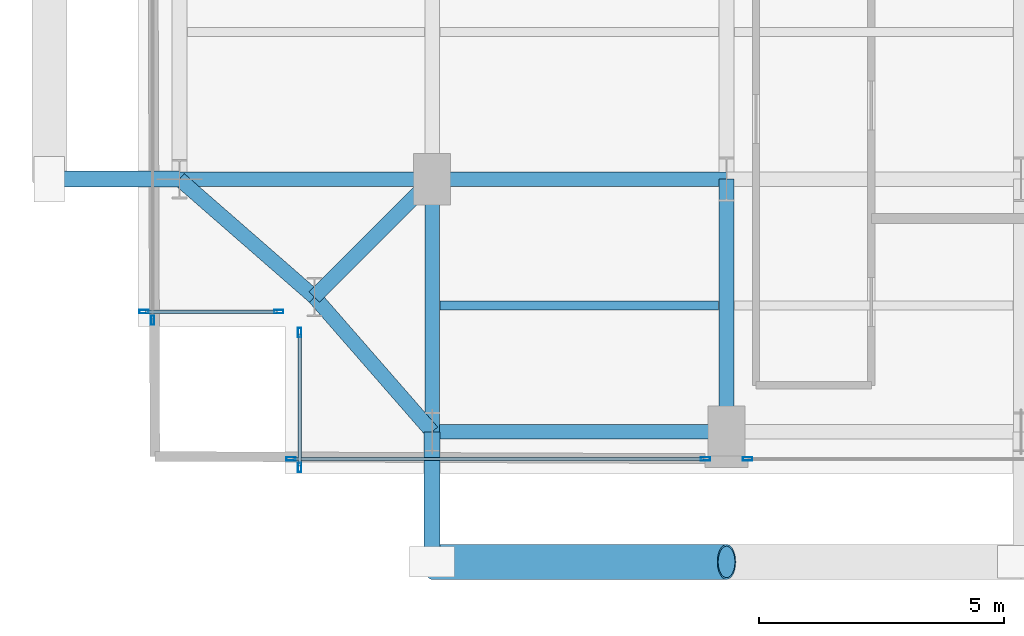
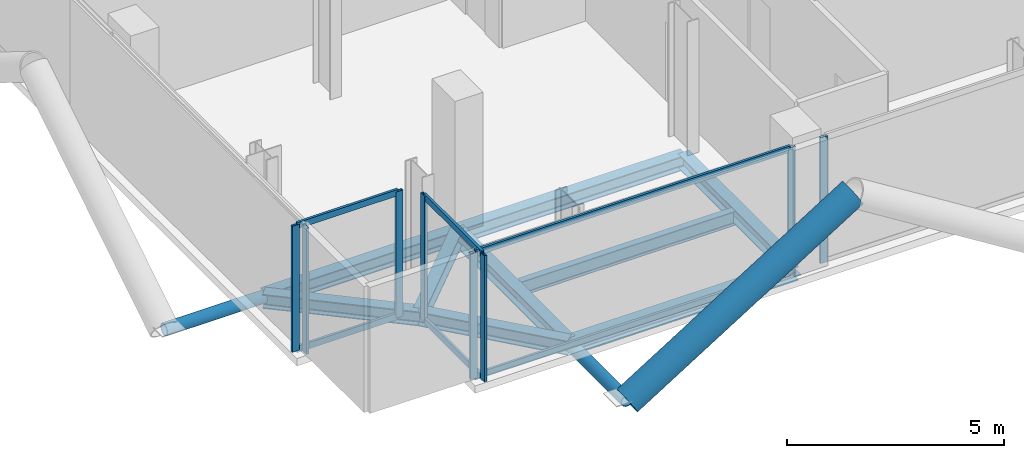
# One storey, part 2 of 25: 17 members, 9 beams, 5 elements without a shape of their own.
"""IFC4 building model written with IfcOpenShell, lengths in metres."""

from ifc_helpers import new_model, si_unit, direction, frame, origin, origin_2d, place, context, subcontext, project, spatial, hollow_rectangle, hollow_circle, i_section, extrude, material, layer, layer_set, material_profile, profile_set, type_object, element, aggregate, save


model = new_model("IFC4")

# Units and contexts
model_context = context("Model", 3, precision=1e-05, world=origin(), true_north=direction((0.0, 1.0)))
body_context = subcontext(model_context, "Body", "Model", "MODEL_VIEW")
ifc_project = project(units=[si_unit("LENGTHUNIT", "METRE"), si_unit("AREAUNIT", "SQUARE_METRE"), si_unit("VOLUMEUNIT", "CUBIC_METRE"), si_unit("PLANEANGLEUNIT", "RADIAN"), si_unit("MASSUNIT", "GRAM", prefix="KILO"), si_unit("THERMODYNAMICTEMPERATUREUNIT", "KELVIN"), si_unit("POWERUNIT", "WATT")], contexts=[model_context])

# Site, building, storey
site_placement = place(None, origin())
site = spatial("IfcSite", under=ifc_project, at=site_placement, CompositionType="ELEMENT")
building_placement = place(site_placement, origin())
building = spatial("IfcBuilding", under=site, at=building_placement, Name="Svarakhadi Broadcast Tower", CompositionType="ELEMENT")
storey_placement = place(building_placement, frame((0.0, 0.0, 227.39990234375)))
storey = spatial("IfcBuildingStorey", under=building, at=storey_placement, Name="L56", CompositionType="ELEMENT", Elevation=227.39990234375)

# Beam
ifc_material_1 = material(Name="Steel S355J2 (IS 2062 E350C)", Category="steel")
ifc_material_profile_1 = material_profile(ifc_material_1, i_section(OverallWidth=0.179931640625, OverallDepth=0.39990234375, WebThickness=0.008544921875, FlangeThickness=0.013427734375, FilletRadius=0.02099609375, at=origin_2d()), Name="NPB 400x180x66")
ifc_profile_set_1 = profile_set([ifc_material_profile_1], Name="Steel S355J2 (IS 2062 E350C)")
beam_type_1 = type_object("IfcBeamType", Name="Beam_NPB400", PredefinedType="BEAM", material=ifc_profile_set_1)
beam_1_placement = place(storey_placement, frame((6.159912109375, 3.425048828125, -0.409912109375), z_axis=(1.0, 0.0, 0.0), x_axis=(0.0, 1.0, 0.0)))
element("IfcBeam", 1, at=beam_1_placement, inside=storey, type_object=beam_type_1, Name="L56 Secondary Composite Beam SB005", PredefinedType="BEAM", context=body_context, shape_type="SweptSolid", body=[
    extrude(i_section(OverallWidth=0.179931640625, OverallDepth=0.39990234375, WebThickness=0.008544921875, FlangeThickness=0.013427734375, FilletRadius=0.02099609375, at=origin_2d()), origin(), (0.0, 0.0, 1.0), 5.68017578125),
])

# Curtain wall, members
ifc_material_2 = material(Name="Anodised Bronze Aluminium AA 6063-T6", Category="aluminium")
ifc_layer = layer(ifc_material_2, 0.18994140625)
ifc_layer_set = layer_set([ifc_layer], Name="Anodised Bronze Aluminium AA 6063-T6")
curtain_wall_type = type_object("IfcCurtainWallType", Name="CW_Sys_04", PredefinedType="NOTDEFINED", material=ifc_layer_set)
curtain_wall_1_placement = place(storey_placement, origin())
curtain_wall_1 = element("IfcCurtainWall", 2, at=curtain_wall_1_placement, inside=storey, type_object=curtain_wall_type, Name="L56 Unitised Facade Curtain Wall 01", PredefinedType="NOTDEFINED")
ifc_material_profile_2 = material_profile(ifc_material_2, hollow_rectangle(XDim=0.070068359375, YDim=0.18994140625, WallThickness=0.005615234375, at=origin_2d()), Name="ALU MULLION 190x70x6")
ifc_profile_set_2 = profile_set([ifc_material_profile_2], Name="Anodised Bronze Aluminium AA 6063-T6")
member_type_1 = type_object("IfcMemberType", Name="CW_Sys_04_Mul", PredefinedType="MULLION", material=ifc_profile_set_2)
member_1_placement = place(storey_placement, frame((2.875, 3.300048828125, 0.0), z_axis=(0.0, 0.0, 1.0), x_axis=(0.0, -1.0, 0.0)))
member_1 = element("IfcMember", 3, at=member_1_placement, type_object=member_type_1, Name="CW-04 mullion 1", PredefinedType="MULLION", context=body_context, shape_type="SweptSolid", body=[
    extrude(hollow_rectangle(XDim=0.070068359375, YDim=0.18994140625, WallThickness=0.005615234375, at=origin_2d()), origin(), (0.0, 0.0, 1.0), 3.5400390625),
])
member_2_placement = place(storey_placement, frame((0.125, 3.300048828125, 0.0), z_axis=(0.0, 0.0, 1.0), x_axis=(0.0, -1.0, 0.0)))
member_2 = element("IfcMember", 4, at=member_2_placement, type_object=member_type_1, Name="CW-04 mullion 2", PredefinedType="MULLION", context=body_context, shape_type="SweptSolid", body=[
    extrude(hollow_rectangle(XDim=0.070068359375, YDim=0.18994140625, WallThickness=0.005615234375, at=origin_2d()), origin(), (0.0, 0.0, 1.0), 3.5400390625),
])

# Curtain wall, member
curtain_wall_2_placement = place(storey_placement, origin())
curtain_wall_2 = element("IfcCurtainWall", 5, at=curtain_wall_2_placement, inside=storey, type_object=curtain_wall_type, Name="L56 West Curtain Wall 02", PredefinedType="NOTDEFINED")
member_3_placement = place(storey_placement, frame((0.300048828125, 3.125, 0.0), z_axis=(0.0, 0.0, 1.0), x_axis=(-1.0, 0.0, 0.0)))
member_3 = element("IfcMember", 6, at=member_3_placement, type_object=member_type_1, Name="CW-04 mullion 1", PredefinedType="MULLION", context=body_context, shape_type="SweptSolid", body=[
    extrude(hollow_rectangle(XDim=0.070068359375, YDim=0.18994140625, WallThickness=0.005615234375, at=origin_2d()), origin(), (0.0, 0.0, 1.0), 3.5400390625),
])
aggregate(curtain_wall_2, [member_3])

curtain_wall_3_placement = place(storey_placement, origin())
curtain_wall_3 = element("IfcCurtainWall", 7, at=curtain_wall_3_placement, inside=storey, type_object=curtain_wall_type, Name="L56 South Curtain Wall 17 Bay 2", PredefinedType="NOTDEFINED")
member_4_placement = place(storey_placement, frame((12.429931640625, 0.300048828125, 0.0), z_axis=(0.0, 0.0, 1.0), x_axis=(0.0, -1.0, 0.0)))
member_4 = element("IfcMember", 8, at=member_4_placement, type_object=member_type_1, Name="CW-04 mullion 2", PredefinedType="MULLION", context=body_context, shape_type="SweptSolid", body=[
    extrude(hollow_rectangle(XDim=0.070068359375, YDim=0.18994140625, WallThickness=0.005615234375, at=origin_2d()), origin(), (0.0, 0.0, 1.0), 3.5400390625),
])
aggregate(curtain_wall_3, [member_4])

# Curtain wall, members
curtain_wall_4_placement = place(storey_placement, origin())
curtain_wall_4 = element("IfcCurtainWall", 9, at=curtain_wall_4_placement, inside=storey, type_object=curtain_wall_type, Name="L56 South Curtain Wall 17 Bay 3", PredefinedType="NOTDEFINED")
member_5_placement = place(storey_placement, frame((11.570068359375, 0.300048828125, 0.0), z_axis=(0.0, 0.0, 1.0), x_axis=(0.0, -1.0, 0.0)))
member_5 = element("IfcMember", 10, at=member_5_placement, type_object=member_type_1, Name="CW-04 mullion 1", PredefinedType="MULLION", context=body_context, shape_type="SweptSolid", body=[
    extrude(hollow_rectangle(XDim=0.070068359375, YDim=0.18994140625, WallThickness=0.005615234375, at=origin_2d()), origin(), (0.0, 0.0, 1.0), 3.5400390625),
])
member_6_placement = place(storey_placement, frame((3.125, 0.300048828125, 0.0), z_axis=(0.0, 0.0, 1.0), x_axis=(0.0, -1.0, 0.0)))
member_6 = element("IfcMember", 11, at=member_6_placement, type_object=member_type_1, Name="CW-04 mullion 2", PredefinedType="MULLION", context=body_context, shape_type="SweptSolid", body=[
    extrude(hollow_rectangle(XDim=0.070068359375, YDim=0.18994140625, WallThickness=0.005615234375, at=origin_2d()), origin(), (0.0, 0.0, 1.0), 3.5400390625),
])

curtain_wall_5_placement = place(storey_placement, origin())
curtain_wall_5 = element("IfcCurtainWall", 12, at=curtain_wall_5_placement, inside=storey, type_object=curtain_wall_type, Name="L56 Unitised Facade Curtain Wall 18", PredefinedType="NOTDEFINED")
member_7_placement = place(storey_placement, frame((3.300048828125, 0.125, 0.0), z_axis=(0.0, 0.0, 1.0), x_axis=(-1.0, 0.0, 0.0)))
member_7 = element("IfcMember", 13, at=member_7_placement, type_object=member_type_1, Name="CW-04 mullion 1", PredefinedType="MULLION", context=body_context, shape_type="SweptSolid", body=[
    extrude(hollow_rectangle(XDim=0.070068359375, YDim=0.18994140625, WallThickness=0.005615234375, at=origin_2d()), origin(), (0.0, 0.0, 1.0), 3.5400390625),
])
member_8_placement = place(storey_placement, frame((3.300048828125, 2.875, 0.0), z_axis=(0.0, 0.0, 1.0), x_axis=(-1.0, 0.0, 0.0)))
member_8 = element("IfcMember", 14, at=member_8_placement, type_object=member_type_1, Name="CW-04 mullion 2", PredefinedType="MULLION", context=body_context, shape_type="SweptSolid", body=[
    extrude(hollow_rectangle(XDim=0.070068359375, YDim=0.18994140625, WallThickness=0.005615234375, at=origin_2d()), origin(), (0.0, 0.0, 1.0), 3.5400390625),
])

# Member
ifc_material_profile_3 = material_profile(ifc_material_2, hollow_rectangle(XDim=0.06494140625, YDim=0.175048828125, WallThickness=0.0048828125, at=origin_2d()), Name="ALU TRANSOM 175x65x5")
ifc_profile_set_3 = profile_set([ifc_material_profile_3], Name="Anodised Bronze Aluminium AA 6063-T6")
member_type_2 = type_object("IfcMemberType", Name="CW_Sys_04_Trn", PredefinedType="USERDEFINED", material=ifc_profile_set_3)
member_9_placement = place(storey_placement, frame((2.840087890625, 3.300048828125, 0.03271484375), z_axis=(-1.0, 0.0, 0.0), x_axis=(0.0, -1.0, 0.0)))
member_9 = element("IfcMember", 15, at=member_9_placement, type_object=member_type_2, Name="CW-04 transom 1.1", ObjectType="TRANSOM", PredefinedType="USERDEFINED", context=body_context, shape_type="SweptSolid", body=[
    extrude(hollow_rectangle(XDim=0.06494140625, YDim=0.175048828125, WallThickness=0.0048828125, at=origin_2d()), origin(), (0.0, 0.0, 1.0), 2.68017578125),
])

member_10_placement = place(storey_placement, frame((2.840087890625, 3.300048828125, 3.507568359375), z_axis=(-1.0, 0.0, 0.0), x_axis=(0.0, -1.0, 0.0)))
member_10 = element("IfcMember", 16, at=member_10_placement, type_object=member_type_2, Name="CW-04 transom 1.2", ObjectType="TRANSOM", PredefinedType="USERDEFINED", context=body_context, shape_type="SweptSolid", body=[
    extrude(hollow_rectangle(XDim=0.06494140625, YDim=0.175048828125, WallThickness=0.0048828125, at=origin_2d()), origin(), (0.0, 0.0, 1.0), 2.68017578125),
])

aggregate(curtain_wall_1, [member_1, member_2, member_9, member_10])

member_11_placement = place(storey_placement, frame((11.534912109375, 0.300048828125, 0.03271484375), z_axis=(-1.0, 0.0, 0.0), x_axis=(0.0, -1.0, 0.0)))
member_11 = element("IfcMember", 17, at=member_11_placement, type_object=member_type_2, Name="CW-04 transom 1.1", ObjectType="TRANSOM", PredefinedType="USERDEFINED", context=body_context, shape_type="SweptSolid", body=[
    extrude(hollow_rectangle(XDim=0.06494140625, YDim=0.175048828125, WallThickness=0.0048828125, at=origin_2d()), origin(), (0.0, 0.0, 1.0), 8.375),
])

member_12_placement = place(storey_placement, frame((11.534912109375, 0.300048828125, 3.507568359375), z_axis=(-1.0, 0.0, 0.0), x_axis=(0.0, -1.0, 0.0)))
member_12 = element("IfcMember", 18, at=member_12_placement, type_object=member_type_2, Name="CW-04 transom 1.2", ObjectType="TRANSOM", PredefinedType="USERDEFINED", context=body_context, shape_type="SweptSolid", body=[
    extrude(hollow_rectangle(XDim=0.06494140625, YDim=0.175048828125, WallThickness=0.0048828125, at=origin_2d()), origin(), (0.0, 0.0, 1.0), 8.375),
])

aggregate(curtain_wall_4, [member_5, member_6, member_11, member_12])

member_13_placement = place(storey_placement, frame((3.300048828125, 0.159912109375, 0.03271484375), z_axis=(0.0, 1.0, 0.0), x_axis=(-1.0, 0.0, 0.0)))
member_13 = element("IfcMember", 19, at=member_13_placement, type_object=member_type_2, Name="CW-04 transom 1.1", ObjectType="TRANSOM", PredefinedType="USERDEFINED", context=body_context, shape_type="SweptSolid", body=[
    extrude(hollow_rectangle(XDim=0.06494140625, YDim=0.175048828125, WallThickness=0.0048828125, at=origin_2d()), origin(), (0.0, 0.0, 1.0), 2.68017578125),
])

member_14_placement = place(storey_placement, frame((3.300048828125, 0.159912109375, 3.507568359375), z_axis=(0.0, 1.0, 0.0), x_axis=(-1.0, 0.0, 0.0)))
member_14 = element("IfcMember", 20, at=member_14_placement, type_object=member_type_2, Name="CW-04 transom 1.2", ObjectType="TRANSOM", PredefinedType="USERDEFINED", context=body_context, shape_type="SweptSolid", body=[
    extrude(hollow_rectangle(XDim=0.06494140625, YDim=0.175048828125, WallThickness=0.0048828125, at=origin_2d()), origin(), (0.0, 0.0, 1.0), 2.68017578125),
])

aggregate(curtain_wall_5, [member_7, member_8, member_13, member_14])

# Members
ifc_material_3 = material(Name="Steel S460ML (IS 2062 E450BR)", Category="steel")
ifc_material_profile_4 = material_profile(ifc_material_3, hollow_circle(Radius=0.35546875, WallThickness=0.034912109375, at=origin_2d()), Name="CHS 711x35")
ifc_profile_set_4 = profile_set([ifc_material_profile_4], Name="Steel S460ML (IS 2062 E450BR)")
member_type_3 = type_object("IfcMemberType", Name="Exo_Brace_CHS711", PredefinedType="BRACE", material=ifc_profile_set_4)
member_15_placement = place(storey_placement, frame((6.0, -1.800048828125, -0.371826171875), z_axis=(0.847998304005, 0.0, 0.529998940003), x_axis=(0.0, 1.0, 0.0)))
element("IfcMember", 21, at=member_15_placement, inside=storey, type_object=member_type_3, Name="L56 Exposed Bronze Exoskeleton Diagonal S01", PredefinedType="BRACE", context=body_context, shape_type="SweptSolid", body=[
    extrude(hollow_circle(Radius=0.35546875, WallThickness=0.034912109375, at=origin_2d()), origin(), (0.0, 0.0, 1.0), 7.075439453125),
])
ifc_material_profile_5 = material_profile(ifc_material_3, hollow_circle(Radius=0.161865234375, WallThickness=0.01611328125, at=origin_2d()), Name="CHS 323.9x16")
ifc_profile_set_5 = profile_set([ifc_material_profile_5], Name="Steel S460ML (IS 2062 E450BR)")
member_type_4 = type_object("IfcMemberType", Name="Exo_Radial_Strut_Z2", PredefinedType="STRUT", material=ifc_profile_set_5)
for number, where, z_axis, x_axis, name in (
    (22, (6.0, -1.800048828125, -0.371826171875), (0.0, 1.0, 0.0), (-1.0, 0.0, 0.0), "L56 Exoskeleton Radial Tie Strut S01"),
    (23, (-1.800048828125, 6.0, -0.371826171875), (1.0, 0.0, 0.0), (0.0, 1.0, 0.0), "L56 Exoskeleton Radial Tie Strut W04"),
):
    element("IfcMember", number, at=place(storey_placement, frame(where, z_axis=z_axis, x_axis=x_axis)), inside=storey, type_object=member_type_4, Name=name, PredefinedType="STRUT", context=body_context, shape_type="SweptSolid", body=[
        extrude(hollow_circle(Radius=0.161865234375, WallThickness=0.01611328125, at=origin_2d()), origin(), (0.0, 0.0, 1.0), 2.650146484375),
    ])

# Beams
ifc_material_profile_6 = material_profile(ifc_material_1, i_section(OverallWidth=0.300048828125, OverallDepth=0.39990234375, WebThickness=0.013427734375, FlangeThickness=0.02392578125, FilletRadius=0.027099609375, at=origin_2d()), Name="WPB 400x300x155")
ifc_profile_set_6 = profile_set([ifc_material_profile_6], Name="Steel S355J2 (IS 2062 E350C)")
beam_type_2 = type_object("IfcBeamType", Name="Girder_WPB400", PredefinedType="USERDEFINED", material=ifc_profile_set_6)
beam_2_placement = place(storey_placement, frame((3.60009765625, 3.60009765625, -0.409912109375), z_axis=(0.707106781187, 0.707106781187, 0.0), x_axis=(-0.707106781187, 0.707106781187, 0.0)))
element("IfcBeam", 24, at=beam_2_placement, inside=storey, type_object=beam_type_2, Name="L56 Corner Tie Girder G001", ObjectType="GIRDER", PredefinedType="USERDEFINED", context=body_context, shape_type="SweptSolid", body=[
    extrude(i_section(OverallWidth=0.300048828125, OverallDepth=0.39990234375, WebThickness=0.013427734375, FlangeThickness=0.02392578125, FilletRadius=0.027099609375, at=origin_2d()), origin(), (0.0, 0.0, 1.0), 3.39404296875),
])
for number, where, z_axis, x_axis, name in (
    (25, (3.60009765625, 3.60009765625, -0.409912109375), (-0.753437912176, 0.657519058655, 0.0), (-0.657519058655, -0.753437912176, 0.0), "L56 Corner Tie Girder G002"),
    (26, (3.60009765625, 3.60009765625, -0.409912109375), (0.657519058655, -0.753437912176, 0.0), (0.753437912176, 0.657519058655, 0.0), "L56 Corner Tie Girder G003"),
):
    element("IfcBeam", number, at=place(storey_placement, frame(where, z_axis=z_axis, x_axis=x_axis)), inside=storey, type_object=beam_type_2, Name=name, ObjectType="GIRDER", PredefinedType="USERDEFINED", context=body_context, shape_type="SweptSolid", body=[
        extrude(i_section(OverallWidth=0.300048828125, OverallDepth=0.39990234375, WebThickness=0.013427734375, FlangeThickness=0.02392578125, FilletRadius=0.027099609375, at=origin_2d()), origin(), (0.0, 0.0, 1.0), 3.64990234375),
    ])
beam_3_placement = place(storey_placement, frame((6.0, 0.85009765625, -0.409912109375), z_axis=(1.0, 0.0, 0.0), x_axis=(0.0, 1.0, 0.0)))
element("IfcBeam", 27, at=beam_3_placement, inside=storey, type_object=beam_type_2, Name="L56 Primary E-W Girder G004", ObjectType="GIRDER", PredefinedType="USERDEFINED", context=body_context, shape_type="SweptSolid", body=[
    extrude(i_section(OverallWidth=0.300048828125, OverallDepth=0.39990234375, WebThickness=0.013427734375, FlangeThickness=0.02392578125, FilletRadius=0.027099609375, at=origin_2d()), origin(), (0.0, 0.0, 1.0), 6.0),
])
beam_4_placement = place(storey_placement, frame((0.85009765625, 6.0, -0.409912109375), z_axis=(1.0, 0.0, 0.0), x_axis=(0.0, 1.0, 0.0)))
element("IfcBeam", 28, at=beam_4_placement, inside=storey, type_object=beam_type_2, Name="L56 Primary E-W Girder G009", ObjectType="GIRDER", PredefinedType="USERDEFINED", context=body_context, shape_type="SweptSolid", body=[
    extrude(i_section(OverallWidth=0.300048828125, OverallDepth=0.39990234375, WebThickness=0.013427734375, FlangeThickness=0.02392578125, FilletRadius=0.027099609375, at=origin_2d()), origin(), (0.0, 0.0, 1.0), 5.14990234375),
])
beam_5_placement = place(storey_placement, frame((6.0, 6.0, -0.409912109375), z_axis=(1.0, 0.0, 0.0), x_axis=(0.0, 1.0, 0.0)))
element("IfcBeam", 29, at=beam_5_placement, inside=storey, type_object=beam_type_2, Name="L56 Primary E-W Girder G010", ObjectType="GIRDER", PredefinedType="USERDEFINED", context=body_context, shape_type="SweptSolid", body=[
    extrude(i_section(OverallWidth=0.300048828125, OverallDepth=0.39990234375, WebThickness=0.013427734375, FlangeThickness=0.02392578125, FilletRadius=0.027099609375, at=origin_2d()), origin(), (0.0, 0.0, 1.0), 6.0),
])
for number, where, z_axis, x_axis, name in (
    (30, (6.0, 0.85009765625, -0.409912109375), (0.0, 1.0, 0.0), (-1.0, 0.0, 0.0), "L56 Primary N-S Girder G037"),
    (31, (12.0, 0.85009765625, -0.409912109375), (0.0, 1.0, 0.0), (-1.0, 0.0, 0.0), "L56 Primary N-S Girder G042"),
):
    element("IfcBeam", number, at=place(storey_placement, frame(where, z_axis=z_axis, x_axis=x_axis)), inside=storey, type_object=beam_type_2, Name=name, ObjectType="GIRDER", PredefinedType="USERDEFINED", context=body_context, shape_type="SweptSolid", body=[
        extrude(i_section(OverallWidth=0.300048828125, OverallDepth=0.39990234375, WebThickness=0.013427734375, FlangeThickness=0.02392578125, FilletRadius=0.027099609375, at=origin_2d()), origin(), (0.0, 0.0, 1.0), 5.14990234375),
    ])

save(model, "model.ifc")
